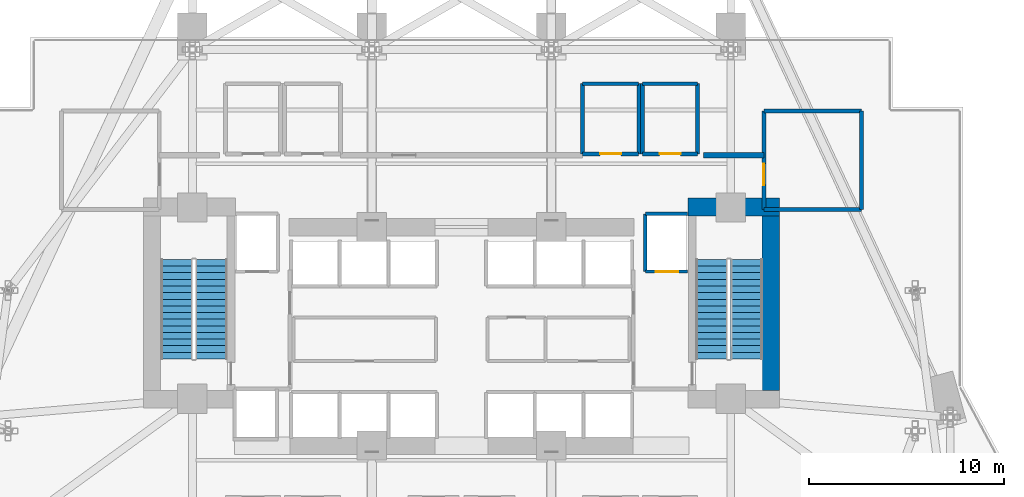
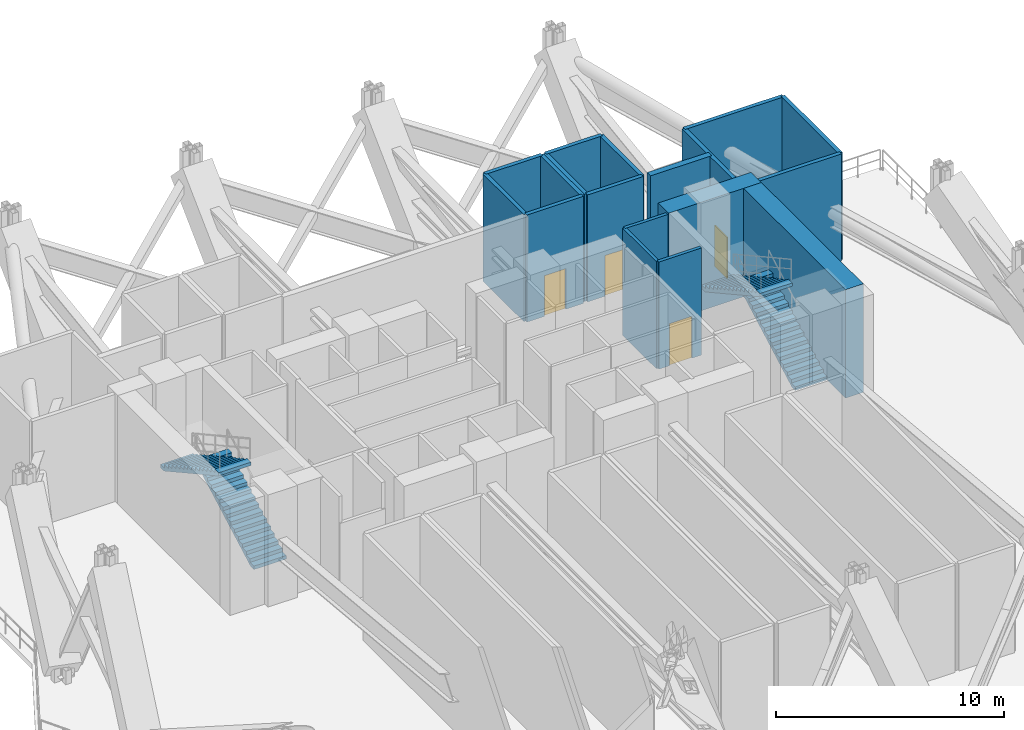
# One storey, part 15 of 21: 18 walls, 4 doors, 4 stair flights, 4 openings, 2 elements without a shape of their own.
"""IFC4 building model written with IfcOpenShell, lengths in metres."""

from ifc_helpers import new_model, si_unit, direction, frame, frame_2d, origin, place, context, subcontext, project, spatial, polyline, rectangle, outline, extrude, material, layer, layer_set, type_object, element, fill, aggregate, save


model = new_model("IFC4")

# Units and contexts
model_context = context("Model", 3, precision=1e-05, world=origin(), true_north=direction((0.0, 1.0)))
body_context = subcontext(model_context, "Body", "Model", "MODEL_VIEW")
ifc_project = project(units=[si_unit("LENGTHUNIT", "METRE"), si_unit("AREAUNIT", "SQUARE_METRE"), si_unit("VOLUMEUNIT", "CUBIC_METRE"), si_unit("PLANEANGLEUNIT", "RADIAN"), si_unit("MASSUNIT", "GRAM", prefix="KILO")], contexts=[model_context])

# Site, building, storey
site_placement = place(None, origin())
site = spatial("IfcSite", under=ifc_project, at=site_placement, CompositionType="ELEMENT")
building_placement = place(site_placement, origin())
building = spatial("IfcBuilding", under=site, at=building_placement, Name="Zuhayl Quay Hotel", CompositionType="ELEMENT")
storey_placement = place(building_placement, frame((0.0, 0.0, 89.64990234375)))
storey = spatial("IfcBuildingStorey", under=building, at=storey_placement, Name="L22", CompositionType="ELEMENT", Elevation=89.64990234375)

# Walls
ifc_material_1 = material(Name="Concrete C70/85", Category="concrete")
ifc_layer_1 = layer(ifc_material_1, 0.89990234375, Name="Concrete C70/85", Category="concrete")
ifc_layer_set_1 = layer_set([ifc_layer_1], Name="Concrete C70/85")
wall_type_1 = type_object("IfcWallType", Name="WL_CORE_900", PredefinedType="SHEAR", material=ifc_layer_set_1)
wall_1_placement = place(storey_placement, frame((11.60009765625, 14.3798828125, 0.0), z_axis=(0.0, 0.0, 1.0), x_axis=(1.0, 0.0, 0.0)))
element("IfcWall", 1, at=wall_1_placement, inside=storey, type_object=wall_type_1, Name="L22 Core Shear Wall CW_NE", PredefinedType="SHEAR", context=body_context, shape_type="SweptSolid", body=[
    extrude(rectangle(XDim=4.7099609375, YDim=0.89990234375, at=frame_2d((2.35498046875, 0.0))), origin(), (0.0, 0.0, 1.0), 5.81005859375),
])
wall_2_placement = place(storey_placement, frame((15.860107421875, 4.969970703125, 0.0), z_axis=(0.0, 0.0, 1.0), x_axis=(0.0, 1.0, 0.0)))
element("IfcWall", 2, at=wall_2_placement, inside=storey, type_object=wall_type_1, Name="L22 Core Shear Wall CW_E", PredefinedType="SHEAR", context=body_context, shape_type="SweptSolid", body=[
    extrude(rectangle(XDim=8.9599609375, YDim=0.89990234375, at=frame_2d((4.47998046875, 0.0))), origin(), (0.0, 0.0, 1.0), 5.81005859375),
])
ifc_material_2 = material(Name="Precast concrete C45/55", Category="concrete")
ifc_layer_2 = layer(ifc_material_2, 0.300048828125, Name="Precast concrete C45/55", Category="concrete")
ifc_layer_set_2 = layer_set([ifc_layer_2], Name="Precast concrete C45/55")
wall_type_2 = type_object("IfcWallType", Name="WL_EXT_300", PredefinedType="STANDARD", material=ifc_layer_set_2)
wall_3_placement = place(storey_placement, frame((12.39990234375, 17.030029296875, 0.0), z_axis=(0.0, 0.0, 1.0), x_axis=(1.0, 0.0, 0.0)))
element("IfcWall", 3, at=wall_3_placement, inside=storey, type_object=wall_type_2, Name="L22 Exterior Precast Wall EW_WIND_NE_L22", PredefinedType="STANDARD", context=body_context, shape_type="SweptSolid", body=[
    extrude(rectangle(XDim=3.10009765625, YDim=0.300048828125, at=frame_2d((1.550048828125, 0.0))), origin(), (0.0, 0.0, 1.0), 5.739990234375),
])

# Wall, opening, door
ifc_material_3 = material(Name="Gypsum Fireboard Assembly EI-90")
ifc_layer_3 = layer(ifc_material_3, 0.1650390625, Name="Gypsum Fireboard Assembly EI-90")
ifc_layer_set_3 = layer_set([ifc_layer_3], Name="Gypsum Fireboard Assembly EI-90")
wall_type_3 = type_object("IfcWallType", Name="WL_PART_SHAFT_160", PredefinedType="PARTITIONING", material=ifc_layer_set_3)
wall_4_placement = place(storey_placement, frame((9.419921875, 11.070068359375, 0.0), z_axis=(0.0, 0.0, 1.0), x_axis=(1.0, 0.0, 0.0)))
wall_4 = element("IfcWall", 4, at=wall_4_placement, inside=storey, type_object=wall_type_3, Name="L22 Partition IW_L22_SH_FL2_F", PredefinedType="PARTITIONING", context=body_context, shape_type="SweptSolid", body=[
    extrude(rectangle(XDim=2.16015625, YDim=0.1650390625, at=frame_2d((1.080078125, 0.0))), origin(), (0.0, 0.0, 1.0), 5.739990234375),
])
opening_1_placement = place(wall_4_placement, frame((0.530029296875, 0.0, 0.0)))
opening_1 = element("IfcOpeningElement", 5, at=opening_1_placement, cuts=wall_4, Name="Opening LD2", PredefinedType="OPENING", context=body_context, shape_type="SweptSolid", body=[
    extrude(rectangle(XDim=1.14990234375, YDim=2.25, at=frame_2d((0.574951171875, 1.125))), frame((0.0, 0.092529296875, 0.0), z_axis=(0.0, -1.0, 0.0), x_axis=(1.0, 0.0, 0.0)), (0.0, 0.0, 1.0), 0.18505859375),
])
ifc_material_4 = material(Name="Brushed Stainless Steel", Category="steel")
door_type_1 = type_object("IfcDoorType", Name="DR_LIFT_FF_1100", OperationType="SLIDING_TO_LEFT", PredefinedType="DOOR", material=ifc_material_4)
door_1_placement = place(opening_1_placement, origin())
door_1 = element("IfcDoor", 6, at=door_1_placement, inside=storey, type_object=door_type_1, Name="L22 Lift FL2 Sliding Landing Door", OperationType="SLIDING_TO_LEFT", OverallHeight=2.25, OverallWidth=1.14990234375, PredefinedType="DOOR", context=body_context, shape_type="SweptSolid", body=[
    extrude(rectangle(XDim=1.14990234375, YDim=2.25, at=frame_2d((0.574951171875, 1.125))), frame((0.0, 0.02490234375, 0.0), z_axis=(0.0, -1.0, 0.0), x_axis=(1.0, 0.0, 0.0)), (0.0, 0.0, 1.0), 0.050048828125),
])
fill(opening_1, door_1)

# Walls
wall_5_placement = place(storey_placement, frame((9.419921875, 11.070068359375, 0.0), z_axis=(0.0, 0.0, 1.0), x_axis=(0.0, 1.0, 0.0)))
element("IfcWall", 7, at=wall_5_placement, inside=storey, type_object=wall_type_3, Name="L22 Partition IW_L22_SH_FL2_W", PredefinedType="PARTITIONING", context=body_context, shape_type="SweptSolid", body=[
    extrude(rectangle(XDim=2.9599609375, YDim=0.1650390625, at=frame_2d((1.47998046875, 0.0))), origin(), (0.0, 0.0, 1.0), 5.739990234375),
])
wall_6_placement = place(storey_placement, frame((9.419921875, 14.030029296875, 0.0), z_axis=(0.0, 0.0, 1.0), x_axis=(1.0, 0.0, 0.0)))
element("IfcWall", 8, at=wall_6_placement, inside=storey, type_object=wall_type_3, Name="L22 Partition IW_L22_SH_FL2_B", PredefinedType="PARTITIONING", context=body_context, shape_type="SweptSolid", body=[
    extrude(rectangle(XDim=2.16015625, YDim=0.1650390625, at=frame_2d((1.080078125, 0.0))), origin(), (0.0, 0.0, 1.0), 5.739990234375),
])

# Wall, opening, door
ifc_material_5 = material(Name="Gypsum Fireboard Assembly EI-120")
ifc_layer_4 = layer(ifc_material_5, 0.199951171875, Name="Gypsum Fireboard Assembly EI-120")
ifc_layer_set_4 = layer_set([ifc_layer_4], Name="Gypsum Fireboard Assembly EI-120")
wall_type_4 = type_object("IfcWallType", Name="WL_PART_SHAFT_200", PredefinedType="PARTITIONING", material=ifc_layer_set_4)
wall_7_placement = place(storey_placement, frame((15.5, 19.300048828125, 0.0), z_axis=(0.0, 0.0, 1.0), x_axis=(0.0, -1.0, 0.0)))
wall_7 = element("IfcWall", 9, at=wall_7_placement, inside=storey, type_object=wall_type_4, Name="L22 Partition IW_L22_REF_E_W", PredefinedType="PARTITIONING", context=body_context, shape_type="SweptSolid", body=[
    extrude(rectangle(XDim=5.050048828125, YDim=0.199951171875, at=frame_2d((2.52490234375, 0.0))), origin(), (0.0, 0.0, 1.0), 5.739990234375),
])
opening_2_placement = place(wall_7_placement, frame((2.699951171875, 0.0, 0.0)))
opening_2 = element("IfcOpeningElement", 10, at=opening_2_placement, cuts=wall_7, Name="Opening D02", PredefinedType="OPENING", context=body_context, shape_type="SweptSolid", body=[
    extrude(rectangle(XDim=1.10009765625, YDim=2.199951171875, at=frame_2d((0.550048828125, 1.10009765625))), frame((0.0, 0.10986328125, 0.0), z_axis=(0.0, -1.0, 0.0), x_axis=(1.0, 0.0, 0.0)), (0.0, 0.0, 1.0), 0.219970703125),
])
ifc_material_6 = material(Name="Steel ASTM A992 Grade 50", Category="steel")
door_type_2 = type_object("IfcDoorType", Name="DR_FIRE_90_1100", OperationType="NOTDEFINED", PredefinedType="DOOR", material=ifc_material_6)
door_2_placement = place(opening_2_placement, origin())
door_2 = element("IfcDoor", 11, at=door_2_placement, inside=storey, type_object=door_type_2, Name="L22 East Refuge Area Door", OperationType="SINGLE_SWING_RIGHT", OverallHeight=2.199951171875, OverallWidth=1.10009765625, PredefinedType="DOOR", context=body_context, shape_type="SweptSolid", body=[
    extrude(rectangle(XDim=1.10009765625, YDim=2.199951171875, at=frame_2d((0.550048828125, 1.10009765625))), frame((0.0, 0.02490234375, 0.0), z_axis=(0.0, -1.0, 0.0), x_axis=(1.0, 0.0, 0.0)), (0.0, 0.0, 1.0), 0.050048828125),
])
fill(opening_2, door_2)

wall_8_placement = place(storey_placement, frame((6.199951171875, 17.10009765625, 0.0), z_axis=(0.0, 0.0, 1.0), x_axis=(1.0, 0.0, 0.0)))
wall_8 = element("IfcWall", 12, at=wall_8_placement, inside=storey, type_object=wall_type_4, Name="L22 Partition IW_L22_MEP_AHU1_S", PredefinedType="PARTITIONING", context=body_context, shape_type="SweptSolid", body=[
    extrude(rectangle(XDim=2.880126953125, YDim=0.199951171875, at=frame_2d((1.43994140625, 0.0))), origin(), (0.0, 0.0, 1.0), 5.739990234375),
])
opening_3_placement = place(wall_8_placement, frame((0.89990234375, 0.0, 0.0)))
opening_3 = element("IfcOpeningElement", 13, at=opening_3_placement, cuts=wall_8, Name="Opening D05A", PredefinedType="OPENING", context=body_context, shape_type="SweptSolid", body=[
    extrude(rectangle(XDim=1.080078125, YDim=2.179931640625, at=frame_2d((0.5400390625, 1.08984375))), frame((0.0, 0.10986328125, 0.0), z_axis=(0.0, -1.0, 0.0), x_axis=(1.0, 0.0, 0.0)), (0.0, 0.0, 1.0), 0.219970703125),
])
ifc_material_7 = material(Name="Solid Walnut Acoustic Fire Door")
door_type_3 = type_object("IfcDoorType", Name="DR_INT_1100", OperationType="NOTDEFINED", PredefinedType="DOOR", material=ifc_material_7)
door_3_placement = place(opening_3_placement, origin())
door_3 = element("IfcDoor", 14, at=door_3_placement, inside=storey, type_object=door_type_3, Name="L22 Primary AHU Plant Room 1 Door", OperationType="SINGLE_SWING_LEFT", OverallHeight=2.179931640625, OverallWidth=1.080078125, PredefinedType="DOOR", context=body_context, shape_type="SweptSolid", body=[
    extrude(rectangle(XDim=1.080078125, YDim=2.179931640625, at=frame_2d((0.5400390625, 1.08984375))), frame((0.0, 0.02490234375, 0.0), z_axis=(0.0, -1.0, 0.0), x_axis=(1.0, 0.0, 0.0)), (0.0, 0.0, 1.0), 0.050048828125),
])
fill(opening_3, door_3)

wall_9_placement = place(storey_placement, frame((9.280029296875, 17.10009765625, 0.0), z_axis=(0.0, 0.0, 1.0), x_axis=(1.0, 0.0, 0.0)))
wall_9 = element("IfcWall", 15, at=wall_9_placement, inside=storey, type_object=wall_type_4, Name="L22 Partition IW_L22_MEP_AHU2_S", PredefinedType="PARTITIONING", context=body_context, shape_type="SweptSolid", body=[
    extrude(rectangle(XDim=2.820068359375, YDim=0.199951171875, at=frame_2d((1.41015625, 0.0))), origin(), (0.0, 0.0, 1.0), 5.739990234375),
])
opening_4_placement = place(wall_9_placement, frame((0.8701171875, 0.0, 0.0)))
opening_4 = element("IfcOpeningElement", 16, at=opening_4_placement, cuts=wall_9, Name="Opening D05A", PredefinedType="OPENING", context=body_context, shape_type="SweptSolid", body=[
    extrude(rectangle(XDim=1.080078125, YDim=2.179931640625, at=frame_2d((0.5400390625, 1.08984375))), frame((0.0, 0.10986328125, 0.0), z_axis=(0.0, -1.0, 0.0), x_axis=(1.0, 0.0, 0.0)), (0.0, 0.0, 1.0), 0.219970703125),
])
door_4_placement = place(opening_4_placement, origin())
door_4 = element("IfcDoor", 17, at=door_4_placement, inside=storey, type_object=door_type_3, Name="L22 Primary AHU Plant Room 2 Door", OperationType="SINGLE_SWING_RIGHT", OverallHeight=2.179931640625, OverallWidth=1.080078125, PredefinedType="DOOR", context=body_context, shape_type="SweptSolid", body=[
    extrude(rectangle(XDim=1.080078125, YDim=2.179931640625, at=frame_2d((0.5400390625, 1.08984375))), frame((0.0, 0.02490234375, 0.0), z_axis=(0.0, -1.0, 0.0), x_axis=(1.0, 0.0, 0.0)), (0.0, 0.0, 1.0), 0.050048828125),
])
fill(opening_4, door_4)

# Walls
wall_10_placement = place(storey_placement, frame((20.5, 14.25, 0.0), z_axis=(0.0, 0.0, 1.0), x_axis=(0.0, 1.0, 0.0)))
element("IfcWall", 18, at=wall_10_placement, inside=storey, type_object=wall_type_4, Name="L22 Partition IW_L22_REF_E_E", PredefinedType="PARTITIONING", context=body_context, shape_type="SweptSolid", body=[
    extrude(rectangle(XDim=5.050048828125, YDim=0.199951171875, at=frame_2d((2.52490234375, 0.0))), origin(), (0.0, 0.0, 1.0), 5.739990234375),
])
for number, where, z_axis, x_axis, name in (
    (19, (15.5, 19.300048828125, 0.0), (0.0, 0.0, 1.0), (1.0, 0.0, 0.0), "L22 Partition IW_L22_REF_E_N"),
    (20, (15.5, 14.25, 0.0), (0.0, 0.0, 1.0), (1.0, 0.0, 0.0), "L22 Partition IW_L22_REF_E_S"),
):
    element("IfcWall", number, at=place(storey_placement, frame(where, z_axis=z_axis, x_axis=x_axis)), inside=storey, type_object=wall_type_4, Name=name, PredefinedType="PARTITIONING", context=body_context, shape_type="SweptSolid", body=[
        extrude(rectangle(XDim=5.0, YDim=0.199951171875, at=frame_2d((2.5, 0.0))), origin(), (0.0, 0.0, 1.0), 5.739990234375),
    ])
wall_11_placement = place(storey_placement, frame((6.199951171875, 20.699951171875, 0.0), z_axis=(0.0, 0.0, 1.0), x_axis=(1.0, 0.0, 0.0)))
element("IfcWall", 21, at=wall_11_placement, inside=storey, type_object=wall_type_4, Name="L22 Partition IW_L22_MEP_AHU1_N", PredefinedType="PARTITIONING", context=body_context, shape_type="SweptSolid", body=[
    extrude(rectangle(XDim=2.880126953125, YDim=0.199951171875, at=frame_2d((1.43994140625, 0.0))), origin(), (0.0, 0.0, 1.0), 5.739990234375),
])
for number, where, z_axis, x_axis, name in (
    (22, (6.199951171875, 17.10009765625, 0.0), (0.0, 0.0, 1.0), (0.0, 1.0, 0.0), "L22 Partition IW_L22_MEP_AHU1_W"),
    (23, (9.080078125, 17.10009765625, 0.0), (0.0, 0.0, 1.0), (0.0, 1.0, 0.0), "L22 Partition IW_L22_MEP_AHU1_E"),
):
    element("IfcWall", number, at=place(storey_placement, frame(where, z_axis=z_axis, x_axis=x_axis)), inside=storey, type_object=wall_type_4, Name=name, PredefinedType="PARTITIONING", context=body_context, shape_type="SweptSolid", body=[
        extrude(rectangle(XDim=3.599853515625, YDim=0.199951171875, at=frame_2d((1.7998046875, 0.0))), origin(), (0.0, 0.0, 1.0), 5.739990234375),
    ])
wall_12_placement = place(storey_placement, frame((9.280029296875, 20.699951171875, 0.0), z_axis=(0.0, 0.0, 1.0), x_axis=(1.0, 0.0, 0.0)))
element("IfcWall", 24, at=wall_12_placement, inside=storey, type_object=wall_type_4, Name="L22 Partition IW_L22_MEP_AHU2_N", PredefinedType="PARTITIONING", context=body_context, shape_type="SweptSolid", body=[
    extrude(rectangle(XDim=2.820068359375, YDim=0.199951171875, at=frame_2d((1.41015625, 0.0))), origin(), (0.0, 0.0, 1.0), 5.739990234375),
])
for number, where, z_axis, x_axis, name in (
    (25, (9.280029296875, 17.10009765625, 0.0), (0.0, 0.0, 1.0), (0.0, 1.0, 0.0), "L22 Partition IW_L22_MEP_AHU2_W"),
    (26, (12.10009765625, 17.10009765625, 0.0), (0.0, 0.0, 1.0), (0.0, 1.0, 0.0), "L22 Partition IW_L22_MEP_AHU2_E"),
):
    element("IfcWall", number, at=place(storey_placement, frame(where, z_axis=z_axis, x_axis=x_axis)), inside=storey, type_object=wall_type_4, Name=name, PredefinedType="PARTITIONING", context=body_context, shape_type="SweptSolid", body=[
        extrude(rectangle(XDim=3.599853515625, YDim=0.199951171875, at=frame_2d((1.7998046875, 0.0))), origin(), (0.0, 0.0, 1.0), 5.739990234375),
    ])

# Stair, stair flights
ifc_material_8 = material(Name="Concrete C45/55", Category="concrete")
stair_type = type_object("IfcStairType", Name="ST_DOGLEG_TOWER", PredefinedType="HALF_TURN_STAIR", material=ifc_material_8)
stair_1_placement = place(storey_placement, origin())
stair_1 = element("IfcStair", 27, at=stair_1_placement, inside=storey, type_object=stair_type, Name="L22 Smokeproof Exit Stair ST1", PredefinedType="HALF_TURN_STAIR")
ifc_layer_5 = layer(ifc_material_8, 0.159912109375, Name="Concrete C45/55", Category="concrete")
ifc_layer_set_5 = layer_set([ifc_layer_5], Name="Concrete C45/55")
stair_flight_type = type_object("IfcStairFlightType", Name="SF_CONC_164", PredefinedType="STRAIGHT", material=ifc_layer_set_5)
stair_flight_1_placement = place(storey_placement, frame((-12.820068359375, 6.590087890625, 0.0), z_axis=(0.0, 0.0, 1.0), x_axis=(0.0, 1.0, 0.0)))
stair_flight_1 = element("IfcStairFlight", 28, at=stair_flight_1_placement, type_object=stair_flight_type, Name="ST1 flight 1", NumberOfRisers=16, NumberOfTreads=15, PredefinedType="STRAIGHT", RiserHeight=0.1875, TreadLength=0.34, context=body_context, shape_type="SweptSolid", body=[
    extrude(outline(polyline([(0.0, 0.0), (0.0, 0.1875), (0.340087890625, 0.1875), (0.340087890625, 0.375), (0.679931640625, 0.375), (0.679931640625, 0.5625), (1.02001953125, 0.5625), (1.02001953125, 0.75), (1.360107421875, 0.75), (1.360107421875, 0.9375), (1.699951171875, 0.9375), (1.699951171875, 1.125), (2.0400390625, 1.125), (2.0400390625, 1.3125), (2.3798828125, 1.3125), (2.3798828125, 1.5), (2.719970703125, 1.5), (2.719970703125, 1.6875), (3.06005859375, 1.6875), (3.06005859375, 1.875), (3.39990234375, 1.875), (3.39990234375, 2.0625), (3.739990234375, 2.0625), (3.739990234375, 2.25), (4.080078125, 2.25), (4.080078125, 2.4375), (4.419921875, 2.4375), (4.419921875, 2.625), (4.760009765625, 2.625), (4.760009765625, 2.8125), (5.10009765625, 2.8125), (5.10009765625, 3.0), (5.10009765625, 2.641357421875), (0.310302734375, 0.0), (0.0, 0.0)])), frame((0.0, 0.81982421875, 0.0), z_axis=(0.0, -1.0, 0.0), x_axis=(1.0, 0.0, 0.0)), (0.0, 0.0, 1.0), 1.639892578125),
])
stair_flight_2_placement = place(storey_placement, frame((-14.610107421875, 11.68994140625, 3.0), z_axis=(0.0, 0.0, 1.0), x_axis=(0.0, -1.0, 0.0)))
stair_flight_2 = element("IfcStairFlight", 29, at=stair_flight_2_placement, type_object=stair_flight_type, Name="ST1 flight 2", NumberOfRisers=16, NumberOfTreads=15, PredefinedType="STRAIGHT", RiserHeight=0.1875, TreadLength=0.34, context=body_context, shape_type="SweptSolid", body=[
    extrude(outline(polyline([(0.0, 0.0), (0.0, 0.1875), (0.340087890625, 0.1875), (0.340087890625, 0.375), (0.679931640625, 0.375), (0.679931640625, 0.5625), (1.02001953125, 0.5625), (1.02001953125, 0.75), (1.360107421875, 0.75), (1.360107421875, 0.9375), (1.699951171875, 0.9375), (1.699951171875, 1.125), (2.0400390625, 1.125), (2.0400390625, 1.3125), (2.3798828125, 1.3125), (2.3798828125, 1.5), (2.719970703125, 1.5), (2.719970703125, 1.6875), (3.06005859375, 1.6875), (3.06005859375, 1.875), (3.39990234375, 1.875), (3.39990234375, 2.0625), (3.739990234375, 2.0625), (3.739990234375, 2.25), (4.080078125, 2.25), (4.080078125, 2.4375), (4.419921875, 2.4375), (4.419921875, 2.625), (4.760009765625, 2.625), (4.760009765625, 2.8125), (5.10009765625, 2.8125), (5.10009765625, 3.0), (5.10009765625, 2.641357421875), (0.310302734375, 0.0), (0.0, 0.0)])), frame((0.0, 0.81982421875, 0.0), z_axis=(0.0, -1.0, 0.0), x_axis=(1.0, 0.0, 0.0)), (0.0, 0.0, 1.0), 1.639892578125),
])
aggregate(stair_1, [stair_flight_1, stair_flight_2])

stair_2_placement = place(storey_placement, origin())
stair_2 = element("IfcStair", 30, at=stair_2_placement, inside=storey, type_object=stair_type, Name="L22 Smokeproof Exit Stair ST2", PredefinedType="HALF_TURN_STAIR")
stair_flight_3_placement = place(storey_placement, frame((14.610107421875, 6.590087890625, 0.0), z_axis=(0.0, 0.0, 1.0), x_axis=(0.0, 1.0, 0.0)))
stair_flight_3 = element("IfcStairFlight", 31, at=stair_flight_3_placement, type_object=stair_flight_type, Name="ST2 flight 1", NumberOfRisers=16, NumberOfTreads=15, PredefinedType="STRAIGHT", RiserHeight=0.1875, TreadLength=0.34, context=body_context, shape_type="SweptSolid", body=[
    extrude(outline(polyline([(0.0, 0.0), (0.0, 0.1875), (0.340087890625, 0.1875), (0.340087890625, 0.375), (0.679931640625, 0.375), (0.679931640625, 0.5625), (1.02001953125, 0.5625), (1.02001953125, 0.75), (1.360107421875, 0.75), (1.360107421875, 0.9375), (1.699951171875, 0.9375), (1.699951171875, 1.125), (2.0400390625, 1.125), (2.0400390625, 1.3125), (2.3798828125, 1.3125), (2.3798828125, 1.5), (2.719970703125, 1.5), (2.719970703125, 1.6875), (3.06005859375, 1.6875), (3.06005859375, 1.875), (3.39990234375, 1.875), (3.39990234375, 2.0625), (3.739990234375, 2.0625), (3.739990234375, 2.25), (4.080078125, 2.25), (4.080078125, 2.4375), (4.419921875, 2.4375), (4.419921875, 2.625), (4.760009765625, 2.625), (4.760009765625, 2.8125), (5.10009765625, 2.8125), (5.10009765625, 3.0), (5.10009765625, 2.641357421875), (0.310302734375, 0.0), (0.0, 0.0)])), frame((0.0, 0.81982421875, 0.0), z_axis=(0.0, -1.0, 0.0), x_axis=(1.0, 0.0, 0.0)), (0.0, 0.0, 1.0), 1.639892578125),
])
stair_flight_4_placement = place(storey_placement, frame((12.820068359375, 11.68994140625, 3.0), z_axis=(0.0, 0.0, 1.0), x_axis=(0.0, -1.0, 0.0)))
stair_flight_4 = element("IfcStairFlight", 32, at=stair_flight_4_placement, type_object=stair_flight_type, Name="ST2 flight 2", NumberOfRisers=16, NumberOfTreads=15, PredefinedType="STRAIGHT", RiserHeight=0.1875, TreadLength=0.34, context=body_context, shape_type="SweptSolid", body=[
    extrude(outline(polyline([(0.0, 0.0), (0.0, 0.1875), (0.340087890625, 0.1875), (0.340087890625, 0.375), (0.679931640625, 0.375), (0.679931640625, 0.5625), (1.02001953125, 0.5625), (1.02001953125, 0.75), (1.360107421875, 0.75), (1.360107421875, 0.9375), (1.699951171875, 0.9375), (1.699951171875, 1.125), (2.0400390625, 1.125), (2.0400390625, 1.3125), (2.3798828125, 1.3125), (2.3798828125, 1.5), (2.719970703125, 1.5), (2.719970703125, 1.6875), (3.06005859375, 1.6875), (3.06005859375, 1.875), (3.39990234375, 1.875), (3.39990234375, 2.0625), (3.739990234375, 2.0625), (3.739990234375, 2.25), (4.080078125, 2.25), (4.080078125, 2.4375), (4.419921875, 2.4375), (4.419921875, 2.625), (4.760009765625, 2.625), (4.760009765625, 2.8125), (5.10009765625, 2.8125), (5.10009765625, 3.0), (5.10009765625, 2.641357421875), (0.310302734375, 0.0), (0.0, 0.0)])), frame((0.0, 0.81982421875, 0.0), z_axis=(0.0, -1.0, 0.0), x_axis=(1.0, 0.0, 0.0)), (0.0, 0.0, 1.0), 1.639892578125),
])
aggregate(stair_2, [stair_flight_3, stair_flight_4])

save(model, "model.ifc")
